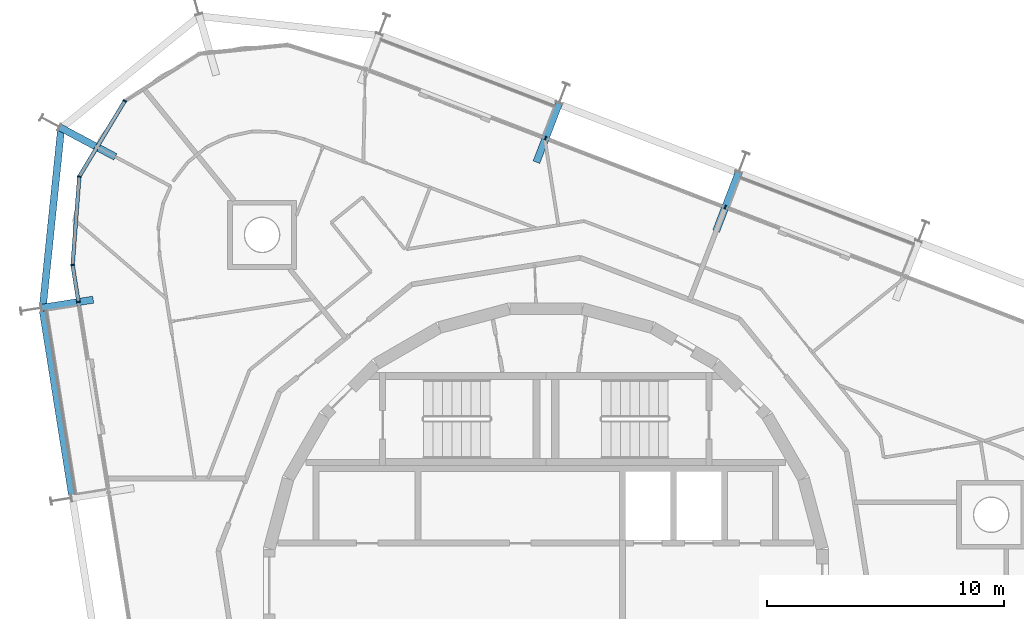
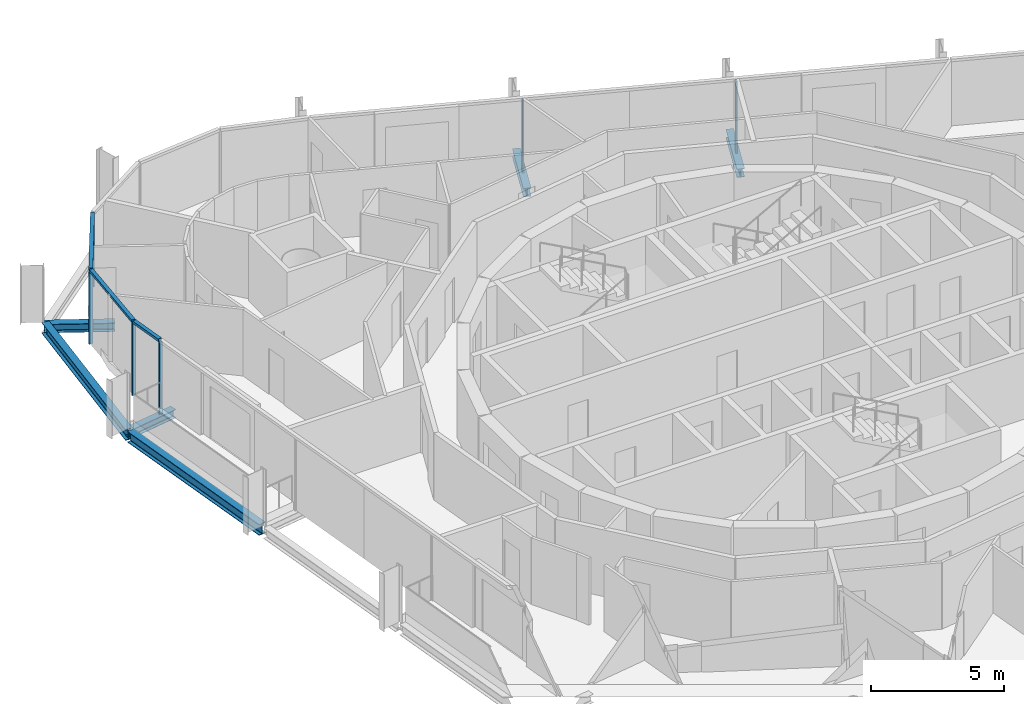
# One storey, part 6 of 17: 9 members, 6 beams, 3 elements without a shape of their own.
"""IFC4 building model written with IfcOpenShell, lengths in metres."""

from ifc_helpers import new_model, si_unit, direction, frame, origin, origin_2d, place, context, subcontext, project, spatial, rectangle, i_section, extrude, material, layer, layer_set, material_profile, profile_set, type_object, element, aggregate, save


model = new_model("IFC4")

# Units and contexts
model_context = context("Model", 3, precision=1e-05, world=origin(), true_north=direction((0.0, 1.0)))
body_context = subcontext(model_context, "Body", "Model", "MODEL_VIEW")
ifc_project = project(units=[si_unit("LENGTHUNIT", "METRE"), si_unit("AREAUNIT", "SQUARE_METRE"), si_unit("VOLUMEUNIT", "CUBIC_METRE"), si_unit("PLANEANGLEUNIT", "RADIAN"), si_unit("MASSUNIT", "GRAM", prefix="KILO")], contexts=[model_context])

# Site, building, storey
site_placement = place(None, origin())
site = spatial("IfcSite", under=ifc_project, at=site_placement, CompositionType="ELEMENT")
building_placement = place(site_placement, origin())
building = spatial("IfcBuilding", under=site, at=building_placement, Name="Spindle Arch Residences", CompositionType="ELEMENT")
storey_placement = place(building_placement, frame((0.0, 0.0, 287.89990234375)))
storey = spatial("IfcBuildingStorey", under=building, at=storey_placement, Name="L74", CompositionType="ELEMENT", Elevation=287.89990234375)

# Curtain wall, members
ifc_material_1 = material(Name="Aluminium bronze unitised frame with tinted glass", Category="aluminium")
ifc_layer_1 = layer(ifc_material_1, 0.159912109375)
ifc_layer_set_1 = layer_set([ifc_layer_1], Name="CW-C typical residential unitised wall")
curtain_wall_type_1 = type_object("IfcCurtainWallType", Name="CW-C typical residential unitised wall", PredefinedType="NOTDEFINED", material=ifc_layer_set_1)
curtain_wall_1_placement = place(storey_placement, origin())
curtain_wall_1 = element("IfcCurtainWall", 1, at=curtain_wall_1_placement, inside=storey, type_object=curtain_wall_type_1, Name="CW-C L74 run 2", PredefinedType="NOTDEFINED")
ifc_material_2 = material(Name="Aluminium bronze anodised mullion", Category="aluminium")
ifc_material_profile_1 = material_profile(ifc_material_2, rectangle(XDim=0.159912109375, YDim=0.06005859375, at=origin_2d()), Name="MU 60x160")
ifc_profile_set_1 = profile_set([ifc_material_profile_1], Name="Aluminium bronze anodised mullion")
member_type_1 = type_object("IfcMemberType", Name="Bronze mullion 60x160", PredefinedType="MULLION", material=ifc_profile_set_1)
member_1_placement = place(storey_placement, frame((7.560302734375, 15.9248046875, -0.3798828125), z_axis=(0.0, 0.0, 1.0), x_axis=(-0.358367949545, -0.933580426497, 0.0)))
member_1 = element("IfcMember", 2, at=member_1_placement, type_object=member_type_1, Name="CW-C mullion 06", PredefinedType="MULLION", context=body_context, shape_type="SweptSolid", body=[
    extrude(rectangle(XDim=0.159912109375, YDim=0.06005859375, at=origin_2d()), origin(), (0.0, 0.0, 1.0), 3.31005859375),
])
member_2_placement = place(storey_placement, frame((-0.0087890625, 18.830322265625, -0.3798828125), z_axis=(0.0, 0.0, 1.0), x_axis=(-0.358367949545, -0.933580426497, 0.0)))
member_2 = element("IfcMember", 3, at=member_2_placement, type_object=member_type_1, Name="CW-C mullion 07", PredefinedType="MULLION", context=body_context, shape_type="SweptSolid", body=[
    extrude(rectangle(XDim=0.159912109375, YDim=0.06005859375, at=origin_2d()), origin(), (0.0, 0.0, 1.0), 3.31005859375),
])
aggregate(curtain_wall_1, [member_1, member_2])

ifc_material_3 = material(Name="Aluminium bronze unitised frame with tinted glass", Category="aluminium")
ifc_layer_2 = layer(ifc_material_3, 0.159912109375)
ifc_layer_set_2 = layer_set([ifc_layer_2], Name="CW-D corner wall on the fillet arcs")
curtain_wall_type_2 = type_object("IfcCurtainWallType", Name="CW-D corner wall on the fillet arcs", PredefinedType="NOTDEFINED", material=ifc_layer_set_2)
curtain_wall_2_placement = place(storey_placement, origin())
curtain_wall_2 = element("IfcCurtainWall", 4, at=curtain_wall_2_placement, inside=storey, type_object=curtain_wall_type_2, Name="CW-D L74 run 3", PredefinedType="NOTDEFINED")
member_3_placement = place(storey_placement, frame((-17.732421875, 20.406982421875, -0.3798828125), z_axis=(0.0, 0.0, 1.0), x_axis=(0.857167301925, -0.515038072875, 0.0)))
member_3 = element("IfcMember", 5, at=member_3_placement, type_object=member_type_1, Name="CW-D mullion 03", PredefinedType="MULLION", context=body_context, shape_type="SweptSolid", body=[
    extrude(rectangle(XDim=0.159912109375, YDim=0.06005859375, at=origin_2d()), origin(), (0.0, 0.0, 1.0), 3.31005859375),
])
member_4_placement = place(storey_placement, frame((-19.65185546875, 17.212646484375, -0.3798828125), z_axis=(0.0, 0.0, 1.0), x_axis=(0.997141344139, -0.07555884997, 0.0)))
member_4 = element("IfcMember", 6, at=member_4_placement, type_object=member_type_1, Name="CW-D mullion 04", PredefinedType="MULLION", context=body_context, shape_type="SweptSolid", body=[
    extrude(rectangle(XDim=0.159912109375, YDim=0.06005859375, at=origin_2d()), origin(), (0.0, 0.0, 1.0), 3.31005859375),
])
member_5_placement = place(storey_placement, frame((-19.933349609375, 13.49658203125, -0.3798828125), z_axis=(0.0, 0.0, 1.0), x_axis=(0.987688340595, 0.15643446504, 0.0)))
member_5 = element("IfcMember", 7, at=member_5_placement, type_object=member_type_1, Name="CW-D mullion 05", PredefinedType="MULLION", context=body_context, shape_type="SweptSolid", body=[
    extrude(rectangle(XDim=0.159912109375, YDim=0.06005859375, at=origin_2d()), origin(), (0.0, 0.0, 1.0), 3.31005859375),
])

# Curtain wall, member
curtain_wall_3_placement = place(storey_placement, origin())
curtain_wall_3 = element("IfcCurtainWall", 8, at=curtain_wall_3_placement, inside=storey, type_object=curtain_wall_type_1, Name="CW-C L74 run 4", PredefinedType="NOTDEFINED")
member_6_placement = place(storey_placement, frame((-19.685546875, 11.931396484375, -0.3798828125), z_axis=(0.0, 0.0, 1.0), x_axis=(0.987688340595, 0.15643446504, 0.0)))
member_6 = element("IfcMember", 9, at=member_6_placement, type_object=member_type_1, Name="CW-C mullion 11", PredefinedType="MULLION", context=body_context, shape_type="SweptSolid", body=[
    extrude(rectangle(XDim=0.159912109375, YDim=0.06005859375, at=origin_2d()), origin(), (0.0, 0.0, 1.0), 3.31005859375),
])
aggregate(curtain_wall_3, [member_6])

# Member
ifc_material_4 = material(Name="Aluminium bronze anodised transom", Category="aluminium")
ifc_material_profile_2 = material_profile(ifc_material_4, rectangle(XDim=0.159912109375, YDim=0.1201171875, at=origin_2d()), Name="TR 120x160")
ifc_profile_set_2 = profile_set([ifc_material_profile_2], Name="Aluminium bronze anodised transom")
member_type_2 = type_object("IfcMemberType", Name="Bronze transom 120x160", PredefinedType="USERDEFINED", material=ifc_profile_set_2)
member_7_placement = place(storey_placement, frame((-17.747802734375, 20.38134765625, 2.989990234375), z_axis=(-0.515014612012, -0.857181398196, 0.0), x_axis=(0.857181398196, -0.515014612012, 0.0)))
member_7 = element("IfcMember", 10, at=member_7_placement, type_object=member_type_2, Name="CW-D transom 03", ObjectType="TRANSOM", PredefinedType="USERDEFINED", context=body_context, shape_type="SweptSolid", body=[
    extrude(rectangle(XDim=0.159912109375, YDim=0.1201171875, at=origin_2d()), origin(), (0.0, 0.0, 1.0), 3.666748046875),
])

member_8_placement = place(storey_placement, frame((-19.654052734375, 17.1826171875, 2.989990234375), z_axis=(-0.07557120479, -0.99714040787, 0.0), x_axis=(0.99714040787, -0.07557120479, 0.0)))
member_8 = element("IfcMember", 11, at=member_8_placement, type_object=member_type_2, Name="CW-D transom 04", ObjectType="TRANSOM", PredefinedType="USERDEFINED", context=body_context, shape_type="SweptSolid", body=[
    extrude(rectangle(XDim=0.159912109375, YDim=0.1201171875, at=origin_2d()), origin(), (0.0, 0.0, 1.0), 3.666748046875),
])

member_9_placement = place(storey_placement, frame((-19.9287109375, 13.466796875, 2.989990234375), z_axis=(0.156447707445, -0.987686243113, 0.0), x_axis=(0.987686243113, 0.156447707445, 0.0)))
member_9 = element("IfcMember", 12, at=member_9_placement, type_object=member_type_2, Name="CW-D transom 05", ObjectType="TRANSOM", PredefinedType="USERDEFINED", context=body_context, shape_type="SweptSolid", body=[
    extrude(rectangle(XDim=0.159912109375, YDim=0.1201171875, at=origin_2d()), origin(), (0.0, 0.0, 1.0), 1.524658203125),
])

aggregate(curtain_wall_2, [member_3, member_7, member_4, member_8, member_5, member_9])

# Beams
ifc_material_5 = material(Name="Steel S460ML, intumescent coating R 120", Category="steel")
ifc_material_profile_3 = material_profile(ifc_material_5, i_section(OverallWidth=0.300048828125, OverallDepth=0.5, WebThickness=0.014404296875, FlangeThickness=0.028076171875, FilletRadius=0.027099609375, at=origin_2d()), Name="HEB 500")
ifc_profile_set_3 = profile_set([ifc_material_profile_3], Name="Steel S460ML, intumescent coating R 120")
beam_type_1 = type_object("IfcBeamType", Name="Exoskeleton edge beam HEB 500", PredefinedType="BEAM", material=ifc_profile_set_3)
beam_1_placement = place(storey_placement, frame((-20.41015625, 19.294189453125, -0.6298828125), z_axis=(-0.102188803119, -0.99476502176, 0.0), x_axis=(0.99476502176, -0.102188803119, 0.0)))
element("IfcBeam", 13, at=beam_1_placement, inside=storey, type_object=beam_type_1, Name="Exoskeleton edge beam 11", PredefinedType="BEAM", context=body_context, shape_type="SweptSolid", body=[
    extrude(i_section(OverallWidth=0.300048828125, OverallDepth=0.5, WebThickness=0.014404296875, FlangeThickness=0.028076171875, FilletRadius=0.027099609375, at=origin_2d()), origin(), (0.0, 0.0, 1.0), 7.6689453125),
])
beam_2_placement = place(storey_placement, frame((-21.186279296875, 11.56201171875, -0.6298828125), z_axis=(0.156453001738, -0.987685404492, 0.0), x_axis=(0.987685404492, 0.156453001738, 0.0)))
element("IfcBeam", 14, at=beam_2_placement, inside=storey, type_object=beam_type_1, Name="Exoskeleton edge beam 12", PredefinedType="BEAM", context=body_context, shape_type="SweptSolid", body=[
    extrude(i_section(OverallWidth=0.300048828125, OverallDepth=0.5, WebThickness=0.014404296875, FlangeThickness=0.028076171875, FilletRadius=0.027099609375, at=origin_2d()), origin(), (0.0, 0.0, 1.0), 7.84765625),
])
ifc_material_6 = material(Name="Steel S460ML, intumescent coating R 120", Category="steel")
ifc_material_profile_4 = material_profile(ifc_material_6, i_section(OverallWidth=0.300048828125, OverallDepth=0.389892578125, WebThickness=0.010986328125, FlangeThickness=0.01904296875, FilletRadius=0.027099609375, at=origin_2d()), Name="HEA 400")
ifc_profile_set_4 = profile_set([ifc_material_profile_4], Name="Steel S460ML, intumescent coating R 120")
beam_type_2 = type_object("IfcBeamType", Name="Floor outrigger HEA 400", PredefinedType="BEAM", material=ifc_profile_set_4)
for number, where, z_axis, x_axis, name in (
    (15, (8.123046875, 17.390625, -0.574951171875), (-0.358392499624, -0.933571002234, 0.0), (0.933571002234, -0.358392499624, 0.0), "Floor outrigger 7"),
    (16, (0.553955078125, 20.296142578125, -0.574951171875), (-0.358392499624, -0.933571002234, 0.0), (0.933571002234, -0.358392499624, 0.0), "Floor outrigger 8"),
    (17, (-20.472900390625, 19.29150390625, -0.574951171875), (0.882885392442, -0.469588526065, 0.0), (0.469588526065, 0.882885392442, 0.0), "Floor outrigger 11"),
):
    element("IfcBeam", number, at=place(storey_placement, frame(where, z_axis=z_axis, x_axis=x_axis)), inside=storey, type_object=beam_type_2, Name=name, PredefinedType="BEAM", context=body_context, shape_type="SweptSolid", body=[
        extrude(i_section(OverallWidth=0.300048828125, OverallDepth=0.389892578125, WebThickness=0.010986328125, FlangeThickness=0.01904296875, FilletRadius=0.027099609375, at=origin_2d()), origin(), (0.0, 0.0, 1.0), 2.64990234375),
    ])
beam_3_placement = place(storey_placement, frame((-21.236083984375, 11.685791015625, -0.574951171875), z_axis=(0.987697139372, 0.156378901635, 0.0), x_axis=(-0.156378901635, 0.987697139372, 0.0)))
element("IfcBeam", 18, at=beam_3_placement, inside=storey, type_object=beam_type_2, Name="Floor outrigger 12", PredefinedType="BEAM", context=body_context, shape_type="SweptSolid", body=[
    extrude(i_section(OverallWidth=0.300048828125, OverallDepth=0.389892578125, WebThickness=0.010986328125, FlangeThickness=0.01904296875, FilletRadius=0.027099609375, at=origin_2d()), origin(), (0.0, 0.0, 1.0), 2.1982421875),
])

save(model, "model.ifc")
